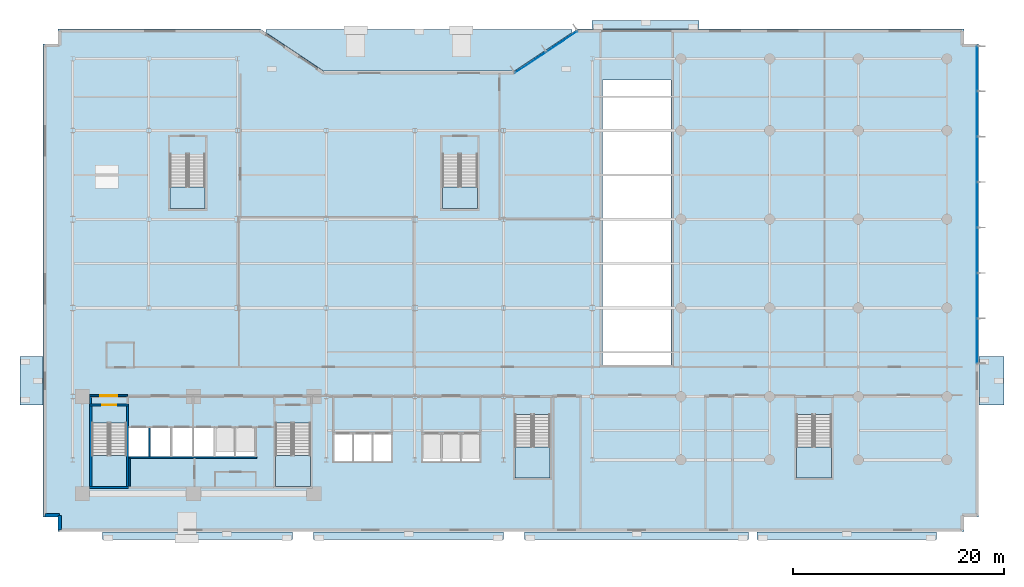
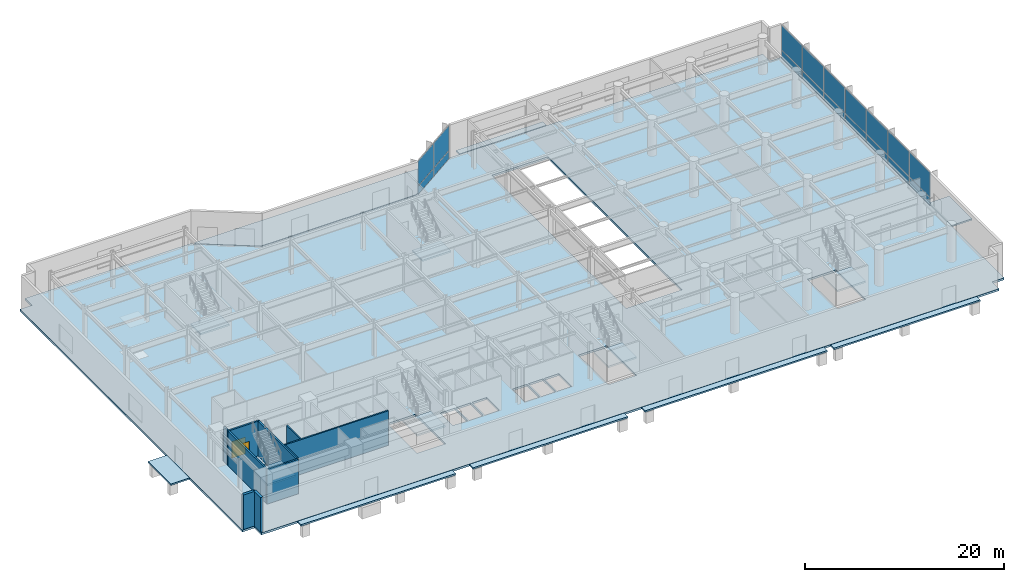
# One storey, part 12 of 26: 18 plates, 15 slabs, 11 walls, 2 doors, 2 openings, 8 elements without a shape of their own.
"""IFC4 building model written with IfcOpenShell, lengths in metres."""

from ifc_helpers import new_model, si_unit, direction, frame, frame_2d, origin, origin_2d, place, context, subcontext, project, spatial, polyline, rectangle, outline, extrude, material, layer, layer_set, type_object, element, fill, aggregate, save


model = new_model("IFC4")

# Units and contexts
model_context = context("Model", 3, precision=1e-05, world=origin(), true_north=direction((0.0, 1.0)))
body_context = subcontext(model_context, "Body", "Model", "MODEL_VIEW")
ifc_project = project(units=[si_unit("LENGTHUNIT", "METRE"), si_unit("AREAUNIT", "SQUARE_METRE"), si_unit("VOLUMEUNIT", "CUBIC_METRE"), si_unit("PLANEANGLEUNIT", "RADIAN"), si_unit("MASSUNIT", "GRAM", prefix="KILO")], contexts=[model_context])

# Site, building, storey
site_placement = place(None, origin())
site = spatial("IfcSite", under=ifc_project, at=site_placement, CompositionType="ELEMENT")
building_placement = place(site_placement, origin())
building = spatial("IfcBuilding", under=site, at=building_placement, Name="Varnakote Quay Hospital", CompositionType="ELEMENT")
storey_placement = place(building_placement, origin())
storey = spatial("IfcBuildingStorey", under=building, at=storey_placement, Name="L00", CompositionType="ELEMENT", Elevation=0.0)

# Curtain wall, plates
ifc_material_1 = material(Name="Anodised aluminium 6063-T6 Bronze", Category="aluminium")
ifc_layer_1 = layer(ifc_material_1, 0.175048828125)
ifc_layer_set_1 = layer_set([ifc_layer_1], Name="Anodised aluminium 6063-T6 Bronze")
curtain_wall_type = type_object("IfcCurtainWallType", Name="CW-SYS-1", PredefinedType="NOTDEFINED", material=ifc_layer_set_1)
curtain_wall_1_placement = place(storey_placement, origin())
curtain_wall_1 = element("IfcCurtainWall", 1, at=curtain_wall_1_placement, inside=storey, type_object=curtain_wall_type, Name="L00 Unitised Bronze Curtain Wall 1", PredefinedType="NOTDEFINED")
ifc_material_2 = material(Name="Double-glazed acoustic laminated glass", Category="glass")
ifc_layer_2 = layer(ifc_material_2, 0.031982421875)
ifc_layer_set_2 = layer_set([ifc_layer_2], Name="Double-glazed acoustic laminated glass")
plate_type = type_object("IfcPlateType", Name="CW-PNL-GLZ-32", PredefinedType="CURTAIN_PANEL", material=ifc_layer_set_2)
plate_1_placement = place(storey_placement, frame((86.840087890625, 17.274169921875, 0.0849609375), z_axis=(0.0, 0.0, 1.0), x_axis=(0.0, 1.0, 0.0)))
plate_1 = element("IfcPlate", 2, at=plate_1_placement, type_object=plate_type, Name="-1-L00-1 panel 1.1", PredefinedType="CURTAIN_PANEL", context=body_context, shape_type="SweptSolid", body=[
    extrude(rectangle(XDim=4.17822265625, YDim=0.031982421875, at=origin_2d()), origin(), (0.0, 0.0, 1.0), 0.972412109375),
])
plate_2_placement = place(storey_placement, frame((86.840087890625, 17.274169921875, 1.142578125), z_axis=(0.0, 0.0, 1.0), x_axis=(0.0, 1.0, 0.0)))
plate_2 = element("IfcPlate", 3, at=plate_2_placement, type_object=plate_type, Name="-1-L00-1 panel 1.2", PredefinedType="CURTAIN_PANEL", context=body_context, shape_type="SweptSolid", body=[
    extrude(rectangle(XDim=4.17822265625, YDim=0.031982421875, at=origin_2d()), origin(), (0.0, 0.0, 1.0), 3.0224609375),
])
plate_3_placement = place(storey_placement, frame((86.840087890625, 21.55859375, 0.0849609375), z_axis=(0.0, 0.0, 1.0), x_axis=(0.0, 1.0, 0.0)))
plate_3 = element("IfcPlate", 4, at=plate_3_placement, type_object=plate_type, Name="-1-L00-1 panel 2.1", PredefinedType="CURTAIN_PANEL", context=body_context, shape_type="SweptSolid", body=[
    extrude(rectangle(XDim=4.220703125, YDim=0.031982421875, at=origin_2d()), origin(), (0.0, 0.0, 1.0), 0.972412109375),
])
plate_4_placement = place(storey_placement, frame((86.840087890625, 21.55859375, 1.142578125), z_axis=(0.0, 0.0, 1.0), x_axis=(0.0, 1.0, 0.0)))
plate_4 = element("IfcPlate", 5, at=plate_4_placement, type_object=plate_type, Name="-1-L00-1 panel 2.2", PredefinedType="CURTAIN_PANEL", context=body_context, shape_type="SweptSolid", body=[
    extrude(rectangle(XDim=4.220703125, YDim=0.031982421875, at=origin_2d()), origin(), (0.0, 0.0, 1.0), 3.0224609375),
])
plate_5_placement = place(storey_placement, frame((86.840087890625, 25.8642578125, 0.0849609375), z_axis=(0.0, 0.0, 1.0), x_axis=(0.0, 1.0, 0.0)))
plate_5 = element("IfcPlate", 6, at=plate_5_placement, type_object=plate_type, Name="-1-L00-1 panel 3.1", PredefinedType="CURTAIN_PANEL", context=body_context, shape_type="SweptSolid", body=[
    extrude(rectangle(XDim=4.220703125, YDim=0.031982421875, at=origin_2d()), origin(), (0.0, 0.0, 1.0), 0.972412109375),
])
plate_6_placement = place(storey_placement, frame((86.840087890625, 25.8642578125, 1.142578125), z_axis=(0.0, 0.0, 1.0), x_axis=(0.0, 1.0, 0.0)))
plate_6 = element("IfcPlate", 7, at=plate_6_placement, type_object=plate_type, Name="-1-L00-1 panel 3.2", PredefinedType="CURTAIN_PANEL", context=body_context, shape_type="SweptSolid", body=[
    extrude(rectangle(XDim=4.220703125, YDim=0.031982421875, at=origin_2d()), origin(), (0.0, 0.0, 1.0), 3.0224609375),
])
plate_7_placement = place(storey_placement, frame((86.840087890625, 30.169921875, 0.0849609375), z_axis=(0.0, 0.0, 1.0), x_axis=(0.0, 1.0, 0.0)))
plate_7 = element("IfcPlate", 8, at=plate_7_placement, type_object=plate_type, Name="-1-L00-1 panel 4.1", PredefinedType="CURTAIN_PANEL", context=body_context, shape_type="SweptSolid", body=[
    extrude(rectangle(XDim=4.220703125, YDim=0.031982421875, at=origin_2d()), origin(), (0.0, 0.0, 1.0), 0.972412109375),
])
plate_8_placement = place(storey_placement, frame((86.840087890625, 30.169921875, 1.142578125), z_axis=(0.0, 0.0, 1.0), x_axis=(0.0, 1.0, 0.0)))
plate_8 = element("IfcPlate", 9, at=plate_8_placement, type_object=plate_type, Name="-1-L00-1 panel 4.2", PredefinedType="CURTAIN_PANEL", context=body_context, shape_type="SweptSolid", body=[
    extrude(rectangle(XDim=4.220703125, YDim=0.031982421875, at=origin_2d()), origin(), (0.0, 0.0, 1.0), 3.0224609375),
])
plate_9_placement = place(storey_placement, frame((86.840087890625, 34.475830078125, 0.0849609375), z_axis=(0.0, 0.0, 1.0), x_axis=(0.0, 1.0, 0.0)))
plate_9 = element("IfcPlate", 10, at=plate_9_placement, type_object=plate_type, Name="-1-L00-1 panel 5.1", PredefinedType="CURTAIN_PANEL", context=body_context, shape_type="SweptSolid", body=[
    extrude(rectangle(XDim=4.220703125, YDim=0.031982421875, at=origin_2d()), origin(), (0.0, 0.0, 1.0), 0.972412109375),
])
plate_10_placement = place(storey_placement, frame((86.840087890625, 34.475830078125, 1.142578125), z_axis=(0.0, 0.0, 1.0), x_axis=(0.0, 1.0, 0.0)))
plate_10 = element("IfcPlate", 11, at=plate_10_placement, type_object=plate_type, Name="-1-L00-1 panel 5.2", PredefinedType="CURTAIN_PANEL", context=body_context, shape_type="SweptSolid", body=[
    extrude(rectangle(XDim=4.220703125, YDim=0.031982421875, at=origin_2d()), origin(), (0.0, 0.0, 1.0), 3.0224609375),
])
plate_11_placement = place(storey_placement, frame((86.840087890625, 38.781494140625, 0.0849609375), z_axis=(0.0, 0.0, 1.0), x_axis=(0.0, 1.0, 0.0)))
plate_11 = element("IfcPlate", 12, at=plate_11_placement, type_object=plate_type, Name="-1-L00-1 panel 6.1", PredefinedType="CURTAIN_PANEL", context=body_context, shape_type="SweptSolid", body=[
    extrude(rectangle(XDim=4.220703125, YDim=0.031982421875, at=origin_2d()), origin(), (0.0, 0.0, 1.0), 0.972412109375),
])
plate_12_placement = place(storey_placement, frame((86.840087890625, 38.781494140625, 1.142578125), z_axis=(0.0, 0.0, 1.0), x_axis=(0.0, 1.0, 0.0)))
plate_12 = element("IfcPlate", 13, at=plate_12_placement, type_object=plate_type, Name="-1-L00-1 panel 6.2", PredefinedType="CURTAIN_PANEL", context=body_context, shape_type="SweptSolid", body=[
    extrude(rectangle(XDim=4.220703125, YDim=0.031982421875, at=origin_2d()), origin(), (0.0, 0.0, 1.0), 3.0224609375),
])
plate_13_placement = place(storey_placement, frame((86.840087890625, 43.06591796875, 0.0849609375), z_axis=(0.0, 0.0, 1.0), x_axis=(0.0, 1.0, 0.0)))
plate_13 = element("IfcPlate", 14, at=plate_13_placement, type_object=plate_type, Name="-1-L00-1 panel 7.1", PredefinedType="CURTAIN_PANEL", context=body_context, shape_type="SweptSolid", body=[
    extrude(rectangle(XDim=4.17822265625, YDim=0.031982421875, at=origin_2d()), origin(), (0.0, 0.0, 1.0), 0.972412109375),
])
plate_14_placement = place(storey_placement, frame((86.840087890625, 43.06591796875, 1.142578125), z_axis=(0.0, 0.0, 1.0), x_axis=(0.0, 1.0, 0.0)))
plate_14 = element("IfcPlate", 15, at=plate_14_placement, type_object=plate_type, Name="-1-L00-1 panel 7.2", PredefinedType="CURTAIN_PANEL", context=body_context, shape_type="SweptSolid", body=[
    extrude(rectangle(XDim=4.17822265625, YDim=0.031982421875, at=origin_2d()), origin(), (0.0, 0.0, 1.0), 3.0224609375),
])
aggregate(curtain_wall_1, [plate_1, plate_2, plate_3, plate_4, plate_5, plate_6, plate_7, plate_8, plate_9, plate_10, plate_11, plate_12, plate_13, plate_14])

curtain_wall_2_placement = place(storey_placement, origin())
curtain_wall_2 = element("IfcCurtainWall", 16, at=curtain_wall_2_placement, inside=storey, type_object=curtain_wall_type, Name="L00 Unitised Bronze Curtain Wall 2", PredefinedType="NOTDEFINED")
plate_15_placement = place(storey_placement, frame((47.53076171875, 45.628173828125, 0.0849609375), z_axis=(0.0, 0.0, 1.0), x_axis=(-0.832050294338, -0.554700196226, 0.0)))
plate_15 = element("IfcPlate", 17, at=plate_15_placement, type_object=plate_type, Name="-1-L00-2 panel 1.1", PredefinedType="CURTAIN_PANEL", context=body_context, shape_type="SweptSolid", body=[
    extrude(rectangle(XDim=3.47802734375, YDim=0.031982421875, at=origin_2d()), origin(), (0.0, 0.0, 1.0), 0.972412109375),
])
plate_16_placement = place(storey_placement, frame((47.53076171875, 45.628173828125, 1.142578125), z_axis=(0.0, 0.0, 1.0), x_axis=(-0.832050294338, -0.554700196226, 0.0)))
plate_16 = element("IfcPlate", 18, at=plate_16_placement, type_object=plate_type, Name="-1-L00-2 panel 1.2", PredefinedType="CURTAIN_PANEL", context=body_context, shape_type="SweptSolid", body=[
    extrude(rectangle(XDim=3.47802734375, YDim=0.031982421875, at=origin_2d()), origin(), (0.0, 0.0, 1.0), 3.0224609375),
])
plate_17_placement = place(storey_placement, frame((44.566162109375, 43.65185546875, 0.0849609375), z_axis=(0.0, 0.0, 1.0), x_axis=(-0.832050294338, -0.554700196226, 0.0)))
plate_17 = element("IfcPlate", 19, at=plate_17_placement, type_object=plate_type, Name="-1-L00-2 panel 2.1", PredefinedType="CURTAIN_PANEL", context=body_context, shape_type="SweptSolid", body=[
    extrude(rectangle(XDim=3.47802734375, YDim=0.031982421875, at=origin_2d()), origin(), (0.0, 0.0, 1.0), 0.972412109375),
])
plate_18_placement = place(storey_placement, frame((44.566162109375, 43.65185546875, 1.142578125), z_axis=(0.0, 0.0, 1.0), x_axis=(-0.832050294338, -0.554700196226, 0.0)))
plate_18 = element("IfcPlate", 20, at=plate_18_placement, type_object=plate_type, Name="-1-L00-2 panel 2.2", PredefinedType="CURTAIN_PANEL", context=body_context, shape_type="SweptSolid", body=[
    extrude(rectangle(XDim=3.47802734375, YDim=0.031982421875, at=origin_2d()), origin(), (0.0, 0.0, 1.0), 3.0224609375),
])
aggregate(curtain_wall_2, [plate_15, plate_16, plate_17, plate_18])

# Slabs
ifc_material_3 = material(Name="Concrete N40 (f'c 40 MPa)", Category="concrete")
ifc_layer_3 = layer(ifc_material_3, 0.18994140625)
ifc_layer_set_3 = layer_set([ifc_layer_3], Name="Concrete N40 (f'c 40 MPa)")
slab_type_1 = type_object("IfcSlabType", Name="SLB-APRON-190", PredefinedType="FLOOR", material=ifc_layer_set_3)
slab_1_placement = place(storey_placement, frame((0.0, 0.0, -0.18994140625)))
element("IfcSlab", 21, at=slab_1_placement, inside=storey, type_object=slab_type_1, Name="Waterfront Concourse Forecourt Paving", PredefinedType="FLOOR", context=body_context, shape_type="SweptSolid", body=[
    extrude(outline(polyline([(19.5, 46.49072265625), (24.961181640625, 42.85009765625), (43.038818359375, 42.85009765625), (48.5, 46.49072265625), (48.5, 46.75), (19.5, 46.75), (19.5, 46.49072265625)])), origin(), (0.0, 0.0, 1.0), 0.18994140625),
])
slab_2_placement = place(storey_placement, frame((0.0, 0.0, -0.18994140625)))
element("IfcSlab", 22, at=slab_2_placement, inside=storey, type_object=slab_type_1, Name="Basement Ramp Portal Driveway Apron", PredefinedType="FLOOR", context=body_context, shape_type="SweptSolid", body=[
    extrude(outline(polyline([(60.5, 46.85009765625), (60.5, 47.60009765625), (50.39990234375, 47.60009765625), (50.39990234375, 46.85009765625), (60.5, 46.85009765625)])), origin(), (0.0, 0.0, 1.0), 0.18994140625),
])
slab_3_placement = place(storey_placement, frame((0.0, 0.0, -0.18994140625)))
element("IfcSlab", 23, at=slab_3_placement, inside=storey, type_object=slab_type_1, Name="South Fire Appliance Hardstand Paving 1", PredefinedType="FLOOR", context=body_context, shape_type="SweptSolid", body=[
    extrude(outline(polyline([(22.0, -1.550048828125), (22.0, -0.830078125), (4.0, -0.830078125), (4.0, -1.550048828125), (22.0, -1.550048828125)])), origin(), (0.0, 0.0, 1.0), 0.18994140625),
])
slab_4_placement = place(storey_placement, frame((0.0, 0.0, -0.18994140625)))
element("IfcSlab", 24, at=slab_4_placement, inside=storey, type_object=slab_type_1, Name="South Fire Appliance Hardstand Paving 2", PredefinedType="FLOOR", context=body_context, shape_type="SweptSolid", body=[
    extrude(outline(polyline([(42.0, -1.550048828125), (42.0, -0.830078125), (24.0, -0.830078125), (24.0, -1.550048828125), (42.0, -1.550048828125)])), origin(), (0.0, 0.0, 1.0), 0.18994140625),
])
slab_5_placement = place(storey_placement, frame((0.0, 0.0, -0.18994140625)))
element("IfcSlab", 25, at=slab_5_placement, inside=storey, type_object=slab_type_1, Name="South Street Arrival Forecourt Paving", PredefinedType="FLOOR", context=body_context, shape_type="SweptSolid", body=[
    extrude(outline(polyline([(65.199951171875, -1.550048828125), (65.199951171875, -0.830078125), (44.0, -0.830078125), (44.0, -1.550048828125), (65.199951171875, -1.550048828125)])), origin(), (0.0, 0.0, 1.0), 0.18994140625),
])
slab_6_placement = place(storey_placement, frame((0.0, 0.0, -0.18994140625)))
element("IfcSlab", 26, at=slab_6_placement, inside=storey, type_object=slab_type_1, Name="East Podium Outpatient Arrival Paving", PredefinedType="FLOOR", context=body_context, shape_type="SweptSolid", body=[
    extrude(outline(polyline([(83.0, -1.550048828125), (83.0, -0.830078125), (66.0, -0.830078125), (66.0, -1.550048828125), (83.0, -1.550048828125)])), origin(), (0.0, 0.0, 1.0), 0.18994140625),
])
slab_7_placement = place(storey_placement, frame((0.0, 0.0, -0.18994140625)))
element("IfcSlab", 27, at=slab_7_placement, inside=storey, type_object=slab_type_1, Name="West Fire Stair Discharge Apron Paving", PredefinedType="FLOOR", context=body_context, shape_type="SweptSolid", body=[
    extrude(outline(polyline([(-1.6201171875, 11.199951171875), (-1.6201171875, 15.800048828125), (-3.800048828125, 15.800048828125), (-3.800048828125, 11.199951171875), (-1.6201171875, 11.199951171875)])), origin(), (0.0, 0.0, 1.0), 0.18994140625),
])
slab_8_placement = place(storey_placement, frame((0.0, 0.0, -0.18994140625)))
element("IfcSlab", 28, at=slab_8_placement, inside=storey, type_object=slab_type_1, Name="East Fire Stair Discharge Apron Paving", PredefinedType="FLOOR", context=body_context, shape_type="SweptSolid", body=[
    extrude(outline(polyline([(87.02001953125, 15.800048828125), (87.02001953125, 11.199951171875), (89.39990234375, 11.199951171875), (89.39990234375, 15.800048828125), (87.02001953125, 15.800048828125)])), origin(), (0.0, 0.0, 1.0), 0.18994140625),
])
ifc_material_4 = material(Name="Concrete N50 (f'c 50 MPa)", Category="concrete")
ifc_layer_4 = layer(ifc_material_4, 0.25)
ifc_layer_set_4 = layer_set([ifc_layer_4], Name="Concrete N50 (f'c 50 MPa)")
slab_type_2 = type_object("IfcSlabType", Name="SLB-POD-250", PredefinedType="FLOOR", material=ifc_layer_set_4)
slab_9_placement = place(storey_placement, frame((0.0, 0.0, -0.25)))
element("IfcSlab", 29, at=slab_9_placement, inside=storey, type_object=slab_type_2, Name="L00 Primary Floor Slab", PredefinedType="FLOOR", context=body_context, shape_type="SweptSolid", body=[
    extrude(outline(polyline([(-1.60009765625, 0.60009765625), (-0.199951171875, 0.60009765625), (-0.199951171875, -0.800048828125), (85.60009765625, -0.800048828125), (85.60009765625, 0.60009765625), (87.0, 0.60009765625), (87.0, 45.39990234375), (85.60009765625, 45.39990234375), (85.60009765625, 46.800048828125), (49.0, 46.800048828125), (43.0, 42.800048828125), (25.0, 42.800048828125), (19.0, 46.800048828125), (-0.199951171875, 46.800048828125), (-0.199951171875, 45.39990234375), (-1.60009765625, 45.39990234375), (-1.60009765625, 0.60009765625)]), holes=[polyline([(3.0, 3.5), (6.300048828125, 3.5), (6.300048828125, 9.49951171875), (3.0, 9.49951171875), (3.0, 3.5)]), polyline([(20.39990234375, 3.5), (23.699951171875, 3.5), (23.699951171875, 9.49951171875), (20.39990234375, 9.49951171875), (20.39990234375, 3.5)]), polyline([(43.10009765625, 4.300048828125), (46.39990234375, 4.300048828125), (46.39990234375, 10.29931640625), (43.10009765625, 10.29931640625), (43.10009765625, 4.300048828125)]), polyline([(69.75, 4.300048828125), (73.050048828125, 4.300048828125), (73.050048828125, 10.29931640625), (69.75, 10.29931640625), (69.75, 4.300048828125)]), polyline([(6.5, 6.300048828125), (8.39990234375, 6.300048828125), (8.39990234375, 9.050048828125), (6.5, 9.050048828125), (6.5, 6.300048828125)]), polyline([(8.550048828125, 6.300048828125), (10.449951171875, 6.300048828125), (10.449951171875, 9.050048828125), (8.550048828125, 9.050048828125), (8.550048828125, 6.300048828125)]), polyline([(10.60009765625, 6.300048828125), (12.5, 6.300048828125), (12.5, 9.050048828125), (10.60009765625, 9.050048828125), (10.60009765625, 6.300048828125)]), polyline([(12.64990234375, 6.300048828125), (14.550048828125, 6.300048828125), (14.550048828125, 9.050048828125), (12.64990234375, 9.050048828125), (12.64990234375, 6.300048828125)]), polyline([(14.699951171875, 6.300048828125), (16.5, 6.300048828125), (16.5, 9.050048828125), (14.699951171875, 9.050048828125), (14.699951171875, 6.300048828125)]), polyline([(16.64990234375, 6.300048828125), (18.449951171875, 6.300048828125), (18.449951171875, 9.050048828125), (16.64990234375, 9.050048828125), (16.64990234375, 6.300048828125)]), polyline([(25.949951171875, 5.89990234375), (27.64990234375, 5.89990234375), (27.64990234375, 8.449951171875), (25.949951171875, 8.449951171875), (25.949951171875, 5.89990234375)]), polyline([(27.800048828125, 5.89990234375), (29.5, 5.89990234375), (29.5, 8.449951171875), (27.800048828125, 8.449951171875), (27.800048828125, 5.89990234375)]), polyline([(29.64990234375, 5.89990234375), (31.35009765625, 5.89990234375), (31.35009765625, 8.449951171875), (29.64990234375, 8.449951171875), (29.64990234375, 5.89990234375)]), polyline([(34.35009765625, 5.89990234375), (36.050048828125, 5.89990234375), (36.050048828125, 8.449951171875), (34.35009765625, 8.449951171875), (34.35009765625, 5.89990234375)]), polyline([(36.199951171875, 5.89990234375), (37.89990234375, 5.89990234375), (37.89990234375, 8.449951171875), (36.199951171875, 8.449951171875), (36.199951171875, 5.89990234375)]), polyline([(38.050048828125, 5.89990234375), (39.75, 5.89990234375), (39.75, 8.449951171875), (38.050048828125, 8.449951171875), (38.050048828125, 5.89990234375)]), polyline([(51.35009765625, 15.00048828125), (57.85009765625, 15.00048828125), (57.85009765625, 41.99951171875), (51.35009765625, 41.99951171875), (51.35009765625, 15.00048828125)])]), origin(), (0.0, 0.0, 1.0), 0.25),
])

# Stair, slab
ifc_material_5 = material(Name="Concrete N40 (f'c 40 MPa)", Category="concrete")
stair_type_1 = type_object("IfcStairType", Name="STR-CORE-1580", PredefinedType="HALF_TURN_STAIR", material=ifc_material_5)
stair_1_placement = place(storey_placement, origin())
stair_1 = element("IfcStair", 30, at=stair_1_placement, inside=storey, type_object=stair_type_1, Name="L00 Fire-Isolated Exit Stair ST-01", PredefinedType="HALF_TURN_STAIR")
ifc_material_6 = material(Name="Concrete N40 (f'c 40 MPa)", Category="concrete")
ifc_layer_5 = layer(ifc_material_6, 0.199951171875)
ifc_layer_set_5 = layer_set([ifc_layer_5], Name="Concrete N40 (f'c 40 MPa)")
slab_type_3 = type_object("IfcSlabType", Name="SLB-STAIR-LND-200", PredefinedType="LANDING", material=ifc_layer_set_5)
slab_10_placement = place(storey_placement, frame((0.0, 0.0, 2.050048828125)))
slab_10 = element("IfcSlab", 31, at=slab_10_placement, type_object=slab_type_3, Name="ST-01 landing 1", PredefinedType="LANDING", context=body_context, shape_type="SweptSolid", body=[
    extrude(outline(polyline([(3.0, 6.419921875), (3.0, 3.5), (6.300048828125, 3.5), (6.300048828125, 6.419921875), (3.0, 6.419921875)])), origin(), (0.0, 0.0, 1.0), 0.199951171875),
])
aggregate(stair_1, [slab_10])

stair_2_placement = place(storey_placement, origin())
stair_2 = element("IfcStair", 32, at=stair_2_placement, inside=storey, type_object=stair_type_1, Name="L00 Fire-Isolated Exit Stair ST-02", PredefinedType="HALF_TURN_STAIR")
slab_11_placement = place(storey_placement, frame((0.0, 0.0, 2.050048828125)))
slab_11 = element("IfcSlab", 33, at=slab_11_placement, type_object=slab_type_3, Name="ST-02 landing 1", PredefinedType="LANDING", context=body_context, shape_type="SweptSolid", body=[
    extrude(outline(polyline([(20.39990234375, 6.419921875), (20.39990234375, 3.5), (23.699951171875, 3.5), (23.699951171875, 6.419921875), (20.39990234375, 6.419921875)])), origin(), (0.0, 0.0, 1.0), 0.199951171875),
])
aggregate(stair_2, [slab_11])

stair_3_placement = place(storey_placement, origin())
stair_3 = element("IfcStair", 34, at=stair_3_placement, inside=storey, type_object=stair_type_1, Name="L00 Fire-Isolated Exit Stair ST-03", PredefinedType="HALF_TURN_STAIR")
slab_12_placement = place(storey_placement, frame((0.0, 0.0, 2.050048828125)))
slab_12 = element("IfcSlab", 35, at=slab_12_placement, type_object=slab_type_3, Name="ST-03 landing 1", PredefinedType="LANDING", context=body_context, shape_type="SweptSolid", body=[
    extrude(outline(polyline([(43.10009765625, 7.219970703125), (43.10009765625, 4.300048828125), (46.39990234375, 4.300048828125), (46.39990234375, 7.219970703125), (43.10009765625, 7.219970703125)])), origin(), (0.0, 0.0, 1.0), 0.199951171875),
])
aggregate(stair_3, [slab_12])

ifc_material_7 = material(Name="Concrete N40 (f'c 40 MPa)", Category="concrete")
stair_type_2 = type_object("IfcStairType", Name="STR-POD-1600", PredefinedType="HALF_TURN_STAIR", material=ifc_material_7)
stair_4_placement = place(storey_placement, origin())
stair_4 = element("IfcStair", 36, at=stair_4_placement, inside=storey, type_object=stair_type_2, Name="L00 Podium Diagnostic Stair ST-04", PredefinedType="HALF_TURN_STAIR")
slab_13_placement = place(storey_placement, frame((0.0, 0.0, 2.050048828125)))
slab_13 = element("IfcSlab", 37, at=slab_13_placement, type_object=slab_type_3, Name="ST-04 landing 1", PredefinedType="LANDING", context=body_context, shape_type="SweptSolid", body=[
    extrude(outline(polyline([(10.39990234375, 31.844970703125), (10.39990234375, 29.800048828125), (13.739990234375, 29.800048828125), (13.739990234375, 31.844970703125), (10.39990234375, 31.844970703125)])), origin(), (0.0, 0.0, 1.0), 0.199951171875),
])
aggregate(stair_4, [slab_13])

stair_5_placement = place(storey_placement, origin())
stair_5 = element("IfcStair", 38, at=stair_5_placement, inside=storey, type_object=stair_type_2, Name="L00 Podium Surgical Stair ST-05", PredefinedType="HALF_TURN_STAIR")
slab_14_placement = place(storey_placement, frame((0.0, 0.0, 2.050048828125)))
slab_14 = element("IfcSlab", 39, at=slab_14_placement, type_object=slab_type_3, Name="ST-05 landing 1", PredefinedType="LANDING", context=body_context, shape_type="SweptSolid", body=[
    extrude(outline(polyline([(36.199951171875, 31.844970703125), (36.199951171875, 29.800048828125), (39.5400390625, 29.800048828125), (39.5400390625, 31.844970703125), (36.199951171875, 31.844970703125)])), origin(), (0.0, 0.0, 1.0), 0.199951171875),
])
aggregate(stair_5, [slab_14])

stair_6_placement = place(storey_placement, origin())
stair_6 = element("IfcStair", 40, at=stair_6_placement, inside=storey, type_object=stair_type_1, Name="L00 East Podium Fire-Isolated Exit Stair ST-06", PredefinedType="HALF_TURN_STAIR")
slab_15_placement = place(storey_placement, frame((0.0, 0.0, 2.050048828125)))
slab_15 = element("IfcSlab", 41, at=slab_15_placement, type_object=slab_type_3, Name="ST-06 landing 1", PredefinedType="LANDING", context=body_context, shape_type="SweptSolid", body=[
    extrude(outline(polyline([(69.75, 7.219970703125), (69.75, 4.300048828125), (73.050048828125, 4.300048828125), (73.050048828125, 7.219970703125), (69.75, 7.219970703125)])), origin(), (0.0, 0.0, 1.0), 0.199951171875),
])
aggregate(stair_6, [slab_15])

# Wall
ifc_material_8 = material(Name="Fire-rated acoustic gypsum stud wall", Category="gypsum")
ifc_layer_6 = layer(ifc_material_8, 0.159912109375)
ifc_layer_set_6 = layer_set([ifc_layer_6], Name="Fire-rated acoustic gypsum stud wall")
wall_type_1 = type_object("IfcWallType", Name="WL-COMP-160", PredefinedType="PARTITIONING", material=ifc_layer_set_6)
wall_1_placement = place(storey_placement, frame((2.8798828125, 11.300048828125, 0.0), z_axis=(0.0, 0.0, 1.0), x_axis=(0.0, 1.0, 0.0)))
element("IfcWall", 42, at=wall_1_placement, inside=storey, type_object=wall_type_1, Name="L00 West Stair Vestibule West Wall", PredefinedType="PARTITIONING", context=body_context, shape_type="SweptSolid", body=[
    extrude(rectangle(XDim=0.699951171875, YDim=0.159912109375, at=frame_2d((0.35009765625, 0.0))), origin(), (0.0, 0.0, 1.0), 4.25),
])

# Wall, opening, door
wall_2_placement = place(storey_placement, frame((2.800048828125, 12.080078125, 0.0), z_axis=(0.0, 0.0, 1.0), x_axis=(1.0, 0.0, 0.0)))
wall_2 = element("IfcWall", 43, at=wall_2_placement, inside=storey, type_object=wall_type_1, Name="L00 West Stair Vestibule Smoke Wall", PredefinedType="PARTITIONING", context=body_context, shape_type="SweptSolid", body=[
    extrude(rectangle(XDim=3.599853515625, YDim=0.159912109375, at=frame_2d((1.7998046875, 0.0))), origin(), (0.0, 0.0, 1.0), 3.425048828125),
])
opening_1_placement = place(wall_2_placement, frame((1.0, 0.0, 0.0)))
opening_1 = element("IfcOpeningElement", 44, at=opening_1_placement, cuts=wall_2, Name="Opening D-ST1L-L00", PredefinedType="OPENING", context=body_context, shape_type="SweptSolid", body=[
    extrude(rectangle(XDim=1.60009765625, YDim=2.050048828125, at=frame_2d((0.800048828125, 1.02490234375))), frame((0.0, 0.08984375, 0.0), z_axis=(0.0, -1.0, 0.0), x_axis=(1.0, 0.0, 0.0)), (0.0, 0.0, 1.0), 0.179931640625),
])
ifc_material_9 = material(Name="Fire-rated double smoke lobby door")
door_type_1 = type_object("IfcDoorType", Name="DR-LOBBY-FD60S-1600x2150", OperationType="NOTDEFINED", PredefinedType="DOOR", material=ifc_material_9)
door_1_placement = place(opening_1_placement, origin())
door_1 = element("IfcDoor", 45, at=door_1_placement, inside=storey, type_object=door_type_1, Name="L00 West Stair Vestibule Smoke Door", OperationType="DOUBLE_DOOR_SINGLE_SWING", OverallHeight=2.050048828125, OverallWidth=1.60009765625, PredefinedType="DOOR", context=body_context, shape_type="SweptSolid", body=[
    extrude(rectangle(XDim=1.60009765625, YDim=2.050048828125, at=frame_2d((0.800048828125, 1.02490234375))), frame((0.0, 0.02490234375, 0.0), z_axis=(0.0, -1.0, 0.0), x_axis=(1.0, 0.0, 0.0)), (0.0, 0.0, 1.0), 0.050048828125),
])
fill(opening_1, door_1)

# Walls
ifc_material_10 = material(Name="Precast concrete N50 (f'c 50 MPa)", Category="concrete")
ifc_layer_7 = layer(ifc_material_10, 0.300048828125)
ifc_layer_set_7 = layer_set([ifc_layer_7], Name="Precast concrete N50 (f'c 50 MPa)")
wall_type_2 = type_object("IfcWallType", Name="WL-EXT-BRICK-300", PredefinedType="STANDARD", material=ifc_layer_set_7)
for number, where, z_axis, x_axis, name in (
    (46, (-0.0400390625, 0.760009765625, 0.0), (0.0, 0.0, 1.0), (0.0, -1.0, 0.0), "L00 Brick-Faced Precast Exterior Wall"),
    (47, (-1.43994140625, 0.760009765625, 0.0), (0.0, 0.0, 1.0), (1.0, 0.0, 0.0), "L00 Brick-Faced Precast Exterior Wall"),
):
    element("IfcWall", number, at=place(storey_placement, frame(where, z_axis=z_axis, x_axis=x_axis)), inside=storey, type_object=wall_type_2, Name=name, PredefinedType="STANDARD", context=body_context, shape_type="SweptSolid", body=[
        extrude(rectangle(XDim=1.39990234375, YDim=0.300048828125, at=frame_2d((0.699951171875, 0.0))), origin(), (0.0, 0.0, 1.0), 4.25),
    ])
ifc_material_11 = material(Name="Concrete N50 (f'c 50 MPa)", Category="concrete")
ifc_layer_8 = layer(ifc_material_11, 0.14990234375)
ifc_layer_set_8 = layer_set([ifc_layer_8], Name="Concrete N50 (f'c 50 MPa)")
wall_type_3 = type_object("IfcWallType", Name="WL-SHAFT-N50-150", PredefinedType="SHEAR", material=ifc_layer_set_8)
wall_3_placement = place(storey_placement, frame((8.47509765625, 6.300048828125, 0.0), z_axis=(0.0, 0.0, 1.0), x_axis=(0.0, 1.0, 0.0)))
element("IfcWall", 48, at=wall_3_placement, inside=storey, type_object=wall_type_3, Name="L00 LF-FF1 Hoistway Divider Wall", PredefinedType="SHEAR", context=body_context, shape_type="SweptSolid", body=[
    extrude(rectangle(XDim=2.75, YDim=0.14990234375, at=frame_2d((1.375, 0.0))), origin(), (0.0, 0.0, 1.0), 4.25),
])
ifc_material_12 = material(Name="Concrete N50 (f'c 50 MPa)", Category="concrete")
ifc_layer_9 = layer(ifc_material_12, 0.159912109375)
ifc_layer_set_9 = layer_set([ifc_layer_9], Name="Concrete N50 (f'c 50 MPa)")
wall_type_4 = type_object("IfcWallType", Name="WL-SHAFT-N50-160", PredefinedType="SHEAR", material=ifc_layer_set_9)
wall_4_placement = place(storey_placement, frame((6.5, 6.219970703125, 0.0), z_axis=(0.0, 0.0, 1.0), x_axis=(1.0, 0.0, 0.0)))
element("IfcWall", 49, at=wall_4_placement, inside=storey, type_object=wall_type_4, Name="L00 REAR Lift Bank Back Shear Wall", PredefinedType="SHEAR", context=body_context, shape_type="SweptSolid", body=[
    extrude(rectangle(XDim=12.110107421875, YDim=0.159912109375, at=frame_2d((6.05517578125, 0.0))), origin(), (0.0, 0.0, 1.0), 4.25),
])
ifc_material_13 = material(Name="Concrete N50 (f'c 50 MPa)", Category="concrete")
ifc_layer_10 = layer(ifc_material_13, 0.199951171875)
ifc_layer_set_10 = layer_set([ifc_layer_10], Name="Concrete N50 (f'c 50 MPa)")
wall_type_5 = type_object("IfcWallType", Name="WL-SHAFT-N50-200", PredefinedType="SHEAR", material=ifc_layer_set_10)
wall_5_placement = place(storey_placement, frame((2.800048828125, 3.39990234375, 0.0), z_axis=(0.0, 0.0, 1.0), x_axis=(1.0, 0.0, 0.0)))
element("IfcWall", 50, at=wall_5_placement, inside=storey, type_object=wall_type_5, Name="L00 Stair ST1 South Shaft Wall", PredefinedType="SHEAR", context=body_context, shape_type="SweptSolid", body=[
    extrude(rectangle(XDim=3.699951171875, YDim=0.199951171875, at=frame_2d((1.85009765625, 0.0))), origin(), (0.0, 0.0, 1.0), 4.25),
])
for number, where, z_axis, x_axis, name in (
    (51, (2.89990234375, 3.5, 0.0), (0.0, 0.0, 1.0), (0.0, 1.0, 0.0), "L00 Stair ST1 West Shaft Wall"),
    (52, (6.39990234375, 3.5, 0.0), (0.0, 0.0, 1.0), (0.0, 1.0, 0.0), "L00 Stair ST1 East Shaft Wall"),
):
    element("IfcWall", number, at=place(storey_placement, frame(where, z_axis=z_axis, x_axis=x_axis)), inside=storey, type_object=wall_type_5, Name=name, PredefinedType="SHEAR", context=body_context, shape_type="SweptSolid", body=[
        extrude(rectangle(XDim=7.60009765625, YDim=0.199951171875, at=frame_2d((3.800048828125, 0.0))), origin(), (0.0, 0.0, 1.0), 4.25),
    ])

# Wall, opening, door
wall_6_placement = place(storey_placement, frame((2.800048828125, 11.199951171875, 0.0), z_axis=(0.0, 0.0, 1.0), x_axis=(1.0, 0.0, 0.0)))
wall_6 = element("IfcWall", 53, at=wall_6_placement, inside=storey, type_object=wall_type_5, Name="L00 Stair ST1 Exit Wall", PredefinedType="SHEAR", context=body_context, shape_type="SweptSolid", body=[
    extrude(rectangle(XDim=3.699951171875, YDim=0.199951171875, at=frame_2d((1.85009765625, 0.0))), origin(), (0.0, 0.0, 1.0), 4.25),
])
opening_2_placement = place(wall_6_placement, frame((1.199951171875, 0.0, 0.0)))
opening_2 = element("IfcOpeningElement", 54, at=opening_2_placement, cuts=wall_6, Name="Opening D-ST1-L00", PredefinedType="OPENING", context=body_context, shape_type="SweptSolid", body=[
    extrude(rectangle(XDim=1.300048828125, YDim=2.14990234375, at=frame_2d((0.64990234375, 1.074951171875))), frame((0.0, 0.10986328125, 0.0), z_axis=(0.0, -1.0, 0.0), x_axis=(1.0, 0.0, 0.0)), (0.0, 0.0, 1.0), 0.219970703125),
])
ifc_material_14 = material(Name="Fire-rated ceramic-glazed timber exit door", Category="wood")
door_type_2 = type_object("IfcDoorType", Name="DR-STAIR-FD60S-1300x2150", OperationType="NOTDEFINED", PredefinedType="DOOR", material=ifc_material_14)
door_2_placement = place(opening_2_placement, origin())
door_2 = element("IfcDoor", 55, at=door_2_placement, inside=storey, type_object=door_type_2, Name="L00 Stair ST1 Fire Exit Door", OperationType="SINGLE_SWING_LEFT", OverallHeight=2.14990234375, OverallWidth=1.300048828125, PredefinedType="DOOR", context=body_context, shape_type="SweptSolid", body=[
    extrude(rectangle(XDim=1.300048828125, YDim=2.14990234375, at=frame_2d((0.64990234375, 1.074951171875))), frame((0.0, 0.02490234375, 0.0), z_axis=(0.0, -1.0, 0.0), x_axis=(1.0, 0.0, 0.0)), (0.0, 0.0, 1.0), 0.050048828125),
])
fill(opening_2, door_2)

# Wall
ifc_material_15 = material(Name="Smoke-proof clinical partition", Category="gypsum")
ifc_layer_11 = layer(ifc_material_15, 0.1201171875)
ifc_layer_set_11 = layer_set([ifc_layer_11], Name="Smoke-proof clinical partition")
wall_type_6 = type_object("IfcWallType", Name="WL-SMOKE-120", PredefinedType="PARTITIONING", material=ifc_layer_set_11)
wall_7_placement = place(storey_placement, frame((6.56005859375, 3.52001953125, 0.0), z_axis=(0.0, 0.0, 1.0), x_axis=(0.0, 1.0, 0.0)))
element("IfcWall", 56, at=wall_7_placement, inside=storey, type_object=wall_type_6, Name="L00 Core West Store West Wall", PredefinedType="PARTITIONING", context=body_context, shape_type="SweptSolid", body=[
    extrude(rectangle(XDim=2.619873046875, YDim=0.1201171875, at=frame_2d((1.31005859375, 0.0))), origin(), (0.0, 0.0, 1.0), 4.25),
])

save(model, "model.ifc")
